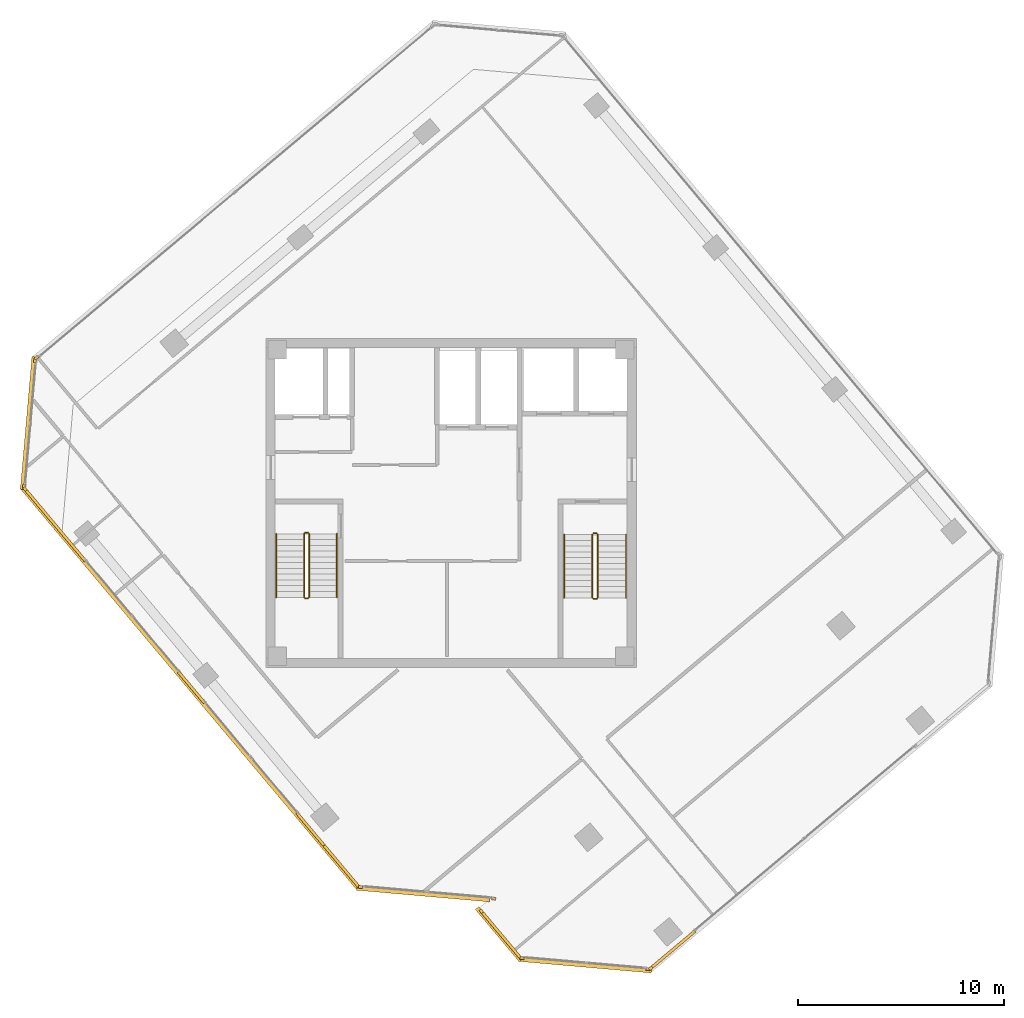
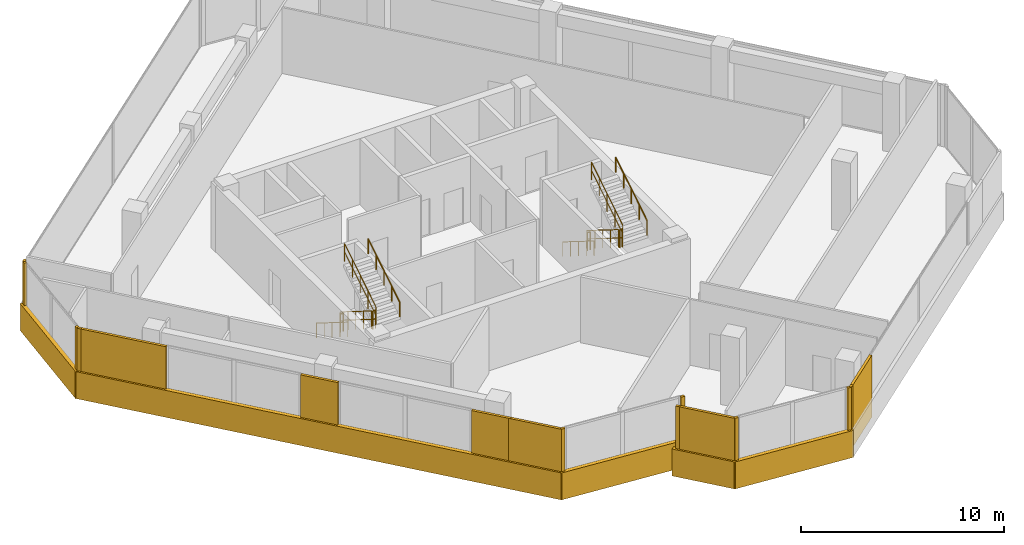
# One storey, part 15 of 17: 21 coverings, 12 railings.
"""IFC4 building model written with IfcOpenShell, lengths in metres."""

import ifcopenshell
import ifcopenshell.guid

model = None  # the IFC model being written
_history = None  # IfcOwnerHistory: only IFC2X3 demands one
_inside = {}  # id of a spatial element -> (the spatial element, [elements in it])
_under = {}  # id of a project, library or spatial element -> (it, [spatial elements below it])
_declared = {}  # id of a project -> (the project, [libraries it declares])
_typed = {}  # id of a type object -> (the type object, [elements of that type])
_made_of = {}  # id of a material, layer set ... -> (it, [elements and type objects made of it])


def new_model(schema):
    """Start an empty IFC model of exactly this schema.

    Asked for "IFC4X3", IfcOpenShell would pick the latest addendum, in which some entities
    have other attributes; the version numbers below select the first issue.
    IFC2X3 requires an IfcOwnerHistory on every rooted entity: one is made here for all.
    """
    global model, _history
    if schema == "IFC4X3":
        model = ifcopenshell.file(schema_version=(4, 3, 0, 0))
    else:
        model = ifcopenshell.file(schema=schema)
    _inside.clear()
    _under.clear()
    _declared.clear()
    _typed.clear()
    _made_of.clear()
    _history = None
    if model.schema == "IFC2X3":
        org = make("IfcOrganization", Name="unknown")
        user = make(
            "IfcPersonAndOrganization",
            ThePerson=make("IfcPerson", FamilyName="unknown"),
            TheOrganization=org,
        )
        app = make(
            "IfcApplication",
            ApplicationDeveloper=org,
            Version="unknown",
            ApplicationFullName="unknown",
            ApplicationIdentifier="unknown",
        )
        _history = make(
            "IfcOwnerHistory",
            OwningUser=user,
            OwningApplication=app,
            ChangeAction="ADDED",
            CreationDate=0,
        )
    return model


def make(cls, **values):
    """One entity of the class cls with the attributes given. An attribute that is None is left unset."""
    return model.create_entity(
        cls, **{name: value for name, value in values.items() if value is not None}
    )


def rooted(cls, **values):
    """An entity with a GlobalId (a new one), such as an element, a storey or a relation."""
    return make(cls, GlobalId=ifcopenshell.guid.new(), OwnerHistory=_history, **values)


def si_unit(unit_type, name, prefix=None):
    """IfcSIUnit, for example si_unit("LENGTHUNIT", "METRE", prefix="MILLI")."""
    return make("IfcSIUnit", UnitType=unit_type, Prefix=prefix, Name=name)


def assignment(units):
    """IfcUnitAssignment: the units of a project."""
    return None if units is None else make("IfcUnitAssignment", Units=units)


def point(xyz):
    """IfcCartesianPoint."""
    return None if xyz is None else make("IfcCartesianPoint", Coordinates=xyz)


def direction(xyz):
    """IfcDirection."""
    return None if xyz is None else make("IfcDirection", DirectionRatios=xyz)


def frame(location, z_axis=None, x_axis=None):
    """IfcAxis2Placement3D, a coordinate frame: its origin and axes. An axis left out is left unset."""
    return make(
        "IfcAxis2Placement3D",
        Location=point(location),
        Axis=direction(z_axis),
        RefDirection=direction(x_axis),
    )


def frame_2d(location, x_axis=None):
    """IfcAxis2Placement2D, a coordinate frame in the plane: its origin and x axis."""
    return make(
        "IfcAxis2Placement2D", Location=point(location), RefDirection=direction(x_axis)
    )


def origin():
    """The frame at (0, 0, 0) with its axes left unset."""
    return frame((0.0, 0.0, 0.0))


def origin_2d():
    """The frame at (0, 0) in the plane with its x axis left unset."""
    return frame_2d((0.0, 0.0))


def place(relative_to, where):
    """IfcLocalPlacement: puts the frame where relative to a parent placement (None: the world)."""
    return make(
        "IfcLocalPlacement", PlacementRelTo=relative_to, RelativePlacement=where
    )


def context(
    kind, dimensions, precision=None, world=None, true_north=None, identifier=None
):
    """IfcGeometricRepresentationContext, for example the 3D "Model" context."""
    return make(
        "IfcGeometricRepresentationContext",
        ContextIdentifier=identifier,
        ContextType=kind,
        CoordinateSpaceDimension=dimensions,
        Precision=precision,
        WorldCoordinateSystem=world,
        TrueNorth=true_north,
    )


def subcontext(parent, identifier, kind, view, scale=None):
    """IfcGeometricRepresentationSubContext, for example "Body" below "Model"."""
    return make(
        "IfcGeometricRepresentationSubContext",
        ContextIdentifier=identifier,
        ContextType=kind,
        ParentContext=parent,
        TargetScale=scale,
        TargetView=view,
    )


def project(units=None, contexts=None):
    """IfcProject with its units and contexts."""
    return rooted(
        "IfcProject",
        Name="project",
        RepresentationContexts=contexts,
        UnitsInContext=assignment(units),
    )


def spatial(cls, under=None, at=None, **own):
    """A site, building, storey or space (cls), placed at a placement, below another one or the project."""
    s = rooted(cls, ObjectPlacement=at, **own)
    if under is not None:
        _under.setdefault(under.id(), (under, []))[1].append(s)
    return s


def profile(cls, at=None, kind="AREA", **sizes):
    """A parametric profile (cls). Its sizes go by their IFC names, for example OverallWidth=200.0."""
    return make(cls, ProfileType=kind, Position=at, **sizes)


def rectangle(**sizes):
    """IfcRectangleProfileDef."""
    return profile("IfcRectangleProfileDef", **sizes)


def circle(**sizes):
    """IfcCircleProfileDef."""
    return profile("IfcCircleProfileDef", **sizes)


def extrude(swept, where, along, depth):
    """IfcExtrudedAreaSolid: the profile swept, set in the frame where, extruded along a direction by depth."""
    return make(
        "IfcExtrudedAreaSolid",
        SweptArea=swept,
        Position=where,
        ExtrudedDirection=direction(along),
        Depth=depth,
    )


def shape(context_of_items, identifier, shape_type, items):
    """IfcShapeRepresentation: the items that make up one representation, for example the "Body"."""
    return make(
        "IfcShapeRepresentation",
        ContextOfItems=context_of_items,
        RepresentationIdentifier=identifier,
        RepresentationType=shape_type,
        Items=items,
    )


def source(mapping_origin, context_of_items, identifier, shape_type, items):
    """IfcRepresentationMap: a shape defined once, which mapped items show again and again."""
    return make(
        "IfcRepresentationMap",
        MappingOrigin=mapping_origin,
        MappedRepresentation=shape(context_of_items, identifier, shape_type, items),
    )


def transform(
    local_origin,
    x_axis=None,
    y_axis=None,
    z_axis=None,
    scale=None,
    scale2=None,
    scale3=None,
    uniform=True,
):
    """IfcCartesianTransformationOperator3D, or its non-uniform kind. x_axis, y_axis, z_axis: its Axis1, 2, 3."""
    if uniform:
        return make(
            "IfcCartesianTransformationOperator3D",
            Axis1=direction(x_axis),
            Axis2=direction(y_axis),
            LocalOrigin=point(local_origin),
            Scale=scale,
            Axis3=direction(z_axis),
        )
    return make(
        "IfcCartesianTransformationOperator3DnonUniform",
        Axis1=direction(x_axis),
        Axis2=direction(y_axis),
        LocalOrigin=point(local_origin),
        Scale=scale,
        Axis3=direction(z_axis),
        Scale2=scale2,
        Scale3=scale3,
    )


def mapped(mapping_source, mapping_target):
    """IfcMappedItem: shows the shape of a source again, moved by a transform."""
    return make(
        "IfcMappedItem", MappingSource=mapping_source, MappingTarget=mapping_target
    )


def material(Name=None, Category=None):
    """IfcMaterial."""
    return make("IfcMaterial", Name=Name, Category=Category)


def layer(
    of_material, thickness, ventilated=None, Name=None, Category=None, Priority=None
):
    """IfcMaterialLayer: one layer of a wall or slab, of a material (None: an air gap)."""
    return make(
        "IfcMaterialLayer",
        Material=of_material,
        LayerThickness=thickness,
        IsVentilated=ventilated,
        Name=Name,
        Category=Category,
        Priority=Priority,
    )


def layer_set(layers, Name=None):
    """IfcMaterialLayerSet."""
    return make("IfcMaterialLayerSet", MaterialLayers=layers, LayerSetName=Name)


def made_of(thing, what):
    """Note that an element or type object is made of a material, layer set ...; save() writes the relation."""
    if what is not None:
        _made_of.setdefault(what.id(), (what, []))[1].append(thing)
    return thing


def type_object(cls, material=None, **own):
    """A type object (cls), such as IfcWallType, which elements share."""
    return made_of(rooted(cls, **own), material)


def element(
    cls,
    number,
    at=None,
    inside=None,
    cuts=None,
    type_object=None,
    material=None,
    context=None,
    identifier="Body",
    shape_type=None,
    held_by="IfcProductDefinitionShape",
    body=None,
    shapes=None,
    **own,
):
    """One element of the class cls, such as IfcWall. Its Tag is "e" and its number.

    at: its placement. inside: the storey or other place that contains it. cuts: it is an
    opening in that element (IfcRelVoidsElement). A single representation is given by context,
    identifier, shape_type and body (its items); several are given by shapes. held_by: the class
    of the entity that holds the representations. save() writes the other relations.
    """
    e = rooted(cls, Tag="e%d" % number, ObjectPlacement=at, **own)
    if body is not None:
        shapes = [shape(context, identifier, shape_type, body)]
    if shapes is not None:
        e.Representation = make(held_by, Representations=shapes)
    if inside is not None:
        _inside.setdefault(inside.id(), (inside, []))[1].append(e)
    if cuts is not None:
        rooted(
            "IfcRelVoidsElement", RelatingBuildingElement=cuts, RelatedOpeningElement=e
        )
    if type_object is not None:
        _typed.setdefault(type_object.id(), (type_object, []))[1].append(e)
    return made_of(e, material)


def aggregate(whole, parts):
    """IfcRelAggregates: a whole, such as a stair, and the parts it consists of."""
    return rooted("IfcRelAggregates", RelatingObject=whole, RelatedObjects=parts)


def save(model, path):
    """Write the relations noted so far, then the file.

    IfcRelAggregates (storeys below a building ...), IfcRelContainedInSpatialStructure (elements
    in a storey), IfcRelDefinesByType, IfcRelAssociatesMaterial and IfcRelDeclares: one each for
    every whole, place, type object, material and project.
    """
    for whole, parts in _under.values():
        aggregate(whole, parts)
    for where, things in _inside.values():
        rooted(
            "IfcRelContainedInSpatialStructure",
            RelatedElements=things,
            RelatingStructure=where,
        )
    for kind, things in _typed.values():
        rooted("IfcRelDefinesByType", RelatedObjects=things, RelatingType=kind)
    for what, things in _made_of.values():
        rooted("IfcRelAssociatesMaterial", RelatedObjects=things, RelatingMaterial=what)
    for by, libraries in _declared.values():
        rooted("IfcRelDeclares", RelatingContext=by, RelatedDefinitions=libraries)
    model.write(path)


model = new_model("IFC4")

# Units and contexts
model_context = context("Model", 3, precision=1e-05, world=origin(), true_north=direction((0.0, 1.0)))
body_context = subcontext(model_context, "Body", "Model", "MODEL_VIEW")
ifc_project = project(units=[si_unit("LENGTHUNIT", "METRE"), si_unit("AREAUNIT", "SQUARE_METRE"), si_unit("VOLUMEUNIT", "CUBIC_METRE"), si_unit("PLANEANGLEUNIT", "RADIAN"), si_unit("MASSUNIT", "GRAM", prefix="KILO")], contexts=[model_context])

# Site, building, storey
site_placement = place(None, origin())
site = spatial("IfcSite", under=ifc_project, at=site_placement, CompositionType="ELEMENT")
building_placement = place(site_placement, origin())
building = spatial("IfcBuilding", under=site, at=building_placement, Name="Torre Montelarca", CompositionType="ELEMENT")
storey_placement = place(building_placement, frame((0.0, 0.0, 271.0)))
storey = spatial("IfcBuildingStorey", under=building, at=storey_placement, Name="L61", CompositionType="ELEMENT", Elevation=271.0)

# Railings
ifc_material_1 = material(Name="Powder-coated steel ASTM A500 Grade C", Category="steel")
railing_type_1 = type_object("IfcRailingType", Name="RL-GUARD-1100", PredefinedType="BALUSTRADE", material=ifc_material_1)
railing_1_placement = place(storey_placement, frame((10.85009765625, 30.5, 0.175048828125)))
element("IfcRailing", 1, at=railing_1_placement, inside=storey, type_object=railing_type_1, Name="L61 ST1 stair guard 1", PredefinedType="BALUSTRADE", context=body_context, shape_type="SweptSolid", body=[
    extrude(circle(Radius=0.02392578125, at=origin_2d()), frame((0.0, 0.0, 1.076171875), z_axis=(0.0, -0.847998304005, 0.529998940003), x_axis=(1.0, 0.0, 0.0)), (0.0, 0.0, 1.0), 3.632080078125),
    extrude(circle(Radius=0.02099609375, at=origin_2d()), frame((0.0, 0.0, 0.572021484375), z_axis=(0.0, -0.847998304005, 0.529998940003), x_axis=(1.0, 0.0, 0.0)), (0.0, 0.0, 1.0), 3.632080078125),
    extrude(circle(Radius=0.02099609375, at=origin_2d()), origin(), (0.0, 0.0, 1.0), 1.052001953125),
    extrude(circle(Radius=0.02099609375, at=origin_2d()), frame((0.0, -0.77001953125, 0.481201171875)), (0.0, 0.0, 1.0), 1.052001953125),
    extrude(circle(Radius=0.02099609375, at=origin_2d()), frame((0.0, -1.5400390625, 0.96240234375)), (0.0, 0.0, 1.0), 1.052001953125),
    extrude(circle(Radius=0.02099609375, at=origin_2d()), frame((0.0, -2.31005859375, 1.44384765625)), (0.0, 0.0, 1.0), 1.052001953125),
    extrude(circle(Radius=0.02099609375, at=origin_2d()), frame((0.0, -3.080078125, 1.925048828125)), (0.0, 0.0, 1.0), 1.052001953125),
])
railing_2_placement = place(storey_placement, frame((10.89990234375, 27.3701171875, 2.10009765625)))
element("IfcRailing", 2, at=railing_2_placement, inside=storey, type_object=railing_type_1, Name="L61 ST1 stair guard 2", PredefinedType="BALUSTRADE", context=body_context, shape_type="SweptSolid", body=[
    extrude(circle(Radius=0.02392578125, at=origin_2d()), frame((0.0, 0.0, 1.076171875), z_axis=(1.0, 0.0, 0.0), x_axis=(0.0, 1.0, 0.0)), (0.0, 0.0, 1.0), 0.150146484375),
    extrude(circle(Radius=0.02099609375, at=origin_2d()), frame((0.0, 0.0, 0.572021484375), z_axis=(1.0, 0.0, 0.0), x_axis=(0.0, 1.0, 0.0)), (0.0, 0.0, 1.0), 0.150146484375),
    extrude(circle(Radius=0.02099609375, at=origin_2d()), origin(), (0.0, 0.0, 1.0), 1.052001953125),
    extrude(circle(Radius=0.02099609375, at=origin_2d()), frame((0.150146484375, 0.0, 0.0)), (0.0, 0.0, 1.0), 1.052001953125),
])
railing_3_placement = place(storey_placement, frame((11.10009765625, 27.419921875, 2.27490234375)))
element("IfcRailing", 3, at=railing_3_placement, inside=storey, type_object=railing_type_1, Name="L61 ST1 stair guard 3", PredefinedType="BALUSTRADE", context=body_context, shape_type="SweptSolid", body=[
    extrude(circle(Radius=0.02392578125, at=origin_2d()), frame((0.0, 0.0, 1.076171875), z_axis=(0.0, 0.847998304005, 0.529998940003), x_axis=(-1.0, 0.0, 0.0)), (0.0, 0.0, 1.0), 3.632080078125),
    extrude(circle(Radius=0.02099609375, at=origin_2d()), frame((0.0, 0.0, 0.572021484375), z_axis=(0.0, 0.847998304005, 0.529998940003), x_axis=(-1.0, 0.0, 0.0)), (0.0, 0.0, 1.0), 3.632080078125),
    extrude(circle(Radius=0.02099609375, at=origin_2d()), origin(), (0.0, 0.0, 1.0), 1.052001953125),
    extrude(circle(Radius=0.02099609375, at=origin_2d()), frame((0.0, 0.77001953125, 0.481201171875)), (0.0, 0.0, 1.0), 1.052001953125),
    extrude(circle(Radius=0.02099609375, at=origin_2d()), frame((0.0, 1.5400390625, 0.96240234375)), (0.0, 0.0, 1.0), 1.052001953125),
    extrude(circle(Radius=0.02099609375, at=origin_2d()), frame((0.0, 2.31005859375, 1.44384765625)), (0.0, 0.0, 1.0), 1.052001953125),
    extrude(circle(Radius=0.02099609375, at=origin_2d()), frame((0.0, 3.080078125, 1.925048828125)), (0.0, 0.0, 1.0), 1.052001953125),
])
railing_4_placement = place(storey_placement, frame((10.89990234375, 30.550048828125, 0.0)))
element("IfcRailing", 4, at=railing_4_placement, inside=storey, type_object=railing_type_1, Name="L61 ST1 stair guard 4", PredefinedType="BALUSTRADE", context=body_context, shape_type="SweptSolid", body=[
    extrude(circle(Radius=0.02392578125, at=origin_2d()), frame((0.0, 0.0, 1.076171875), z_axis=(1.0, 0.0, 0.0), x_axis=(0.0, 1.0, 0.0)), (0.0, 0.0, 1.0), 0.150146484375),
    extrude(circle(Radius=0.02099609375, at=origin_2d()), frame((0.0, 0.0, 0.572021484375), z_axis=(1.0, 0.0, 0.0), x_axis=(0.0, 1.0, 0.0)), (0.0, 0.0, 1.0), 0.150146484375),
    extrude(circle(Radius=0.02099609375, at=origin_2d()), origin(), (0.0, 0.0, 1.0), 1.052001953125),
    extrude(circle(Radius=0.02099609375, at=origin_2d()), frame((0.150146484375, 0.0, 0.0)), (0.0, 0.0, 1.0), 1.052001953125),
])
railing_5_placement = place(storey_placement, frame((24.8701171875, 30.469970703125, 0.175048828125)))
element("IfcRailing", 5, at=railing_5_placement, inside=storey, type_object=railing_type_1, Name="L61 ST2 stair guard 1", PredefinedType="BALUSTRADE", context=body_context, shape_type="SweptSolid", body=[
    extrude(circle(Radius=0.02392578125, at=origin_2d()), frame((0.0, 0.0, 1.076171875), z_axis=(0.0, -0.847998304005, 0.529998940003), x_axis=(1.0, 0.0, 0.0)), (0.0, 0.0, 1.0), 3.632080078125),
    extrude(circle(Radius=0.02099609375, at=origin_2d()), frame((0.0, 0.0, 0.572021484375), z_axis=(0.0, -0.847998304005, 0.529998940003), x_axis=(1.0, 0.0, 0.0)), (0.0, 0.0, 1.0), 3.632080078125),
    extrude(circle(Radius=0.02099609375, at=origin_2d()), origin(), (0.0, 0.0, 1.0), 1.052001953125),
    extrude(circle(Radius=0.02099609375, at=origin_2d()), frame((0.0, -0.77001953125, 0.481201171875)), (0.0, 0.0, 1.0), 1.052001953125),
    extrude(circle(Radius=0.02099609375, at=origin_2d()), frame((0.0, -1.5400390625, 0.96240234375)), (0.0, 0.0, 1.0), 1.052001953125),
    extrude(circle(Radius=0.02099609375, at=origin_2d()), frame((0.0, -2.31005859375, 1.44384765625)), (0.0, 0.0, 1.0), 1.052001953125),
    extrude(circle(Radius=0.02099609375, at=origin_2d()), frame((0.0, -3.080078125, 1.925048828125)), (0.0, 0.0, 1.0), 1.052001953125),
])
railing_6_placement = place(storey_placement, frame((24.919921875, 27.340087890625, 2.10009765625)))
element("IfcRailing", 6, at=railing_6_placement, inside=storey, type_object=railing_type_1, Name="L61 ST2 stair guard 2", PredefinedType="BALUSTRADE", context=body_context, shape_type="SweptSolid", body=[
    extrude(circle(Radius=0.02392578125, at=origin_2d()), frame((0.0, 0.0, 1.076171875), z_axis=(1.0, 0.0, 0.0), x_axis=(0.0, 1.0, 0.0)), (0.0, 0.0, 1.0), 0.150146484375),
    extrude(circle(Radius=0.02099609375, at=origin_2d()), frame((0.0, 0.0, 0.572021484375), z_axis=(1.0, 0.0, 0.0), x_axis=(0.0, 1.0, 0.0)), (0.0, 0.0, 1.0), 0.150146484375),
    extrude(circle(Radius=0.02099609375, at=origin_2d()), origin(), (0.0, 0.0, 1.0), 1.052001953125),
    extrude(circle(Radius=0.02099609375, at=origin_2d()), frame((0.150146484375, 0.0, 0.0)), (0.0, 0.0, 1.0), 1.052001953125),
])
railing_7_placement = place(storey_placement, frame((25.1201171875, 27.389892578125, 2.27490234375)))
element("IfcRailing", 7, at=railing_7_placement, inside=storey, type_object=railing_type_1, Name="L61 ST2 stair guard 3", PredefinedType="BALUSTRADE", context=body_context, shape_type="SweptSolid", body=[
    extrude(circle(Radius=0.02392578125, at=origin_2d()), frame((0.0, 0.0, 1.076171875), z_axis=(0.0, 0.847998304005, 0.529998940003), x_axis=(-1.0, 0.0, 0.0)), (0.0, 0.0, 1.0), 3.632080078125),
    extrude(circle(Radius=0.02099609375, at=origin_2d()), frame((0.0, 0.0, 0.572021484375), z_axis=(0.0, 0.847998304005, 0.529998940003), x_axis=(-1.0, 0.0, 0.0)), (0.0, 0.0, 1.0), 3.632080078125),
    extrude(circle(Radius=0.02099609375, at=origin_2d()), origin(), (0.0, 0.0, 1.0), 1.052001953125),
    extrude(circle(Radius=0.02099609375, at=origin_2d()), frame((0.0, 0.77001953125, 0.481201171875)), (0.0, 0.0, 1.0), 1.052001953125),
    extrude(circle(Radius=0.02099609375, at=origin_2d()), frame((0.0, 1.5400390625, 0.96240234375)), (0.0, 0.0, 1.0), 1.052001953125),
    extrude(circle(Radius=0.02099609375, at=origin_2d()), frame((0.0, 2.31005859375, 1.44384765625)), (0.0, 0.0, 1.0), 1.052001953125),
    extrude(circle(Radius=0.02099609375, at=origin_2d()), frame((0.0, 3.080078125, 1.925048828125)), (0.0, 0.0, 1.0), 1.052001953125),
])
railing_8_placement = place(storey_placement, frame((24.919921875, 30.52001953125, 0.0)))
element("IfcRailing", 8, at=railing_8_placement, inside=storey, type_object=railing_type_1, Name="L61 ST2 stair guard 4", PredefinedType="BALUSTRADE", context=body_context, shape_type="SweptSolid", body=[
    extrude(circle(Radius=0.02392578125, at=origin_2d()), frame((0.0, 0.0, 1.076171875), z_axis=(1.0, 0.0, 0.0), x_axis=(0.0, 1.0, 0.0)), (0.0, 0.0, 1.0), 0.150146484375),
    extrude(circle(Radius=0.02099609375, at=origin_2d()), frame((0.0, 0.0, 0.572021484375), z_axis=(1.0, 0.0, 0.0), x_axis=(0.0, 1.0, 0.0)), (0.0, 0.0, 1.0), 0.150146484375),
    extrude(circle(Radius=0.02099609375, at=origin_2d()), origin(), (0.0, 0.0, 1.0), 1.052001953125),
    extrude(circle(Radius=0.02099609375, at=origin_2d()), frame((0.150146484375, 0.0, 0.0)), (0.0, 0.0, 1.0), 1.052001953125),
])
ifc_material_2 = material(Name="Brushed stainless steel AISI 316", Category="steel")
railing_type_2 = type_object("IfcRailingType", Name="RL-HANDRAIL-900", PredefinedType="HANDRAIL", material=ifc_material_2)
railing_9_placement = place(storey_placement, frame((9.5, 30.5, 0.175048828125)))
element("IfcRailing", 9, at=railing_9_placement, inside=storey, type_object=railing_type_2, Name="L61 ST1 stair handrail 1", PredefinedType="HANDRAIL", context=body_context, shape_type="SweptSolid", body=[
    extrude(circle(Radius=0.02392578125, at=origin_2d()), frame((0.0, 0.0, 0.8759765625), z_axis=(0.0, -0.847998304005, 0.529998940003), x_axis=(1.0, 0.0, 0.0)), (0.0, 0.0, 1.0), 3.632080078125),
    extrude(circle(Radius=0.02099609375, at=origin_2d()), origin(), (0.0, 0.0, 1.0), 0.851806640625),
    extrude(circle(Radius=0.02099609375, at=origin_2d()), frame((0.0, -0.77001953125, 0.481201171875)), (0.0, 0.0, 1.0), 0.851806640625),
    extrude(circle(Radius=0.02099609375, at=origin_2d()), frame((0.0, -1.5400390625, 0.96240234375)), (0.0, 0.0, 1.0), 0.851806640625),
    extrude(circle(Radius=0.02099609375, at=origin_2d()), frame((0.0, -2.31005859375, 1.44384765625)), (0.0, 0.0, 1.0), 0.851806640625),
    extrude(circle(Radius=0.02099609375, at=origin_2d()), frame((0.0, -3.080078125, 1.925048828125)), (0.0, 0.0, 1.0), 0.851806640625),
])
railing_10_placement = place(storey_placement, frame((12.449951171875, 27.419921875, 2.27490234375)))
element("IfcRailing", 10, at=railing_10_placement, inside=storey, type_object=railing_type_2, Name="L61 ST1 stair handrail 2", PredefinedType="HANDRAIL", context=body_context, shape_type="SweptSolid", body=[
    extrude(circle(Radius=0.02392578125, at=origin_2d()), frame((0.0, 0.0, 0.8759765625), z_axis=(0.0, 0.847998304005, 0.529998940003), x_axis=(-1.0, 0.0, 0.0)), (0.0, 0.0, 1.0), 3.632080078125),
    extrude(circle(Radius=0.02099609375, at=origin_2d()), origin(), (0.0, 0.0, 1.0), 0.851806640625),
    extrude(circle(Radius=0.02099609375, at=origin_2d()), frame((0.0, 0.77001953125, 0.481201171875)), (0.0, 0.0, 1.0), 0.851806640625),
    extrude(circle(Radius=0.02099609375, at=origin_2d()), frame((0.0, 1.5400390625, 0.96240234375)), (0.0, 0.0, 1.0), 0.851806640625),
    extrude(circle(Radius=0.02099609375, at=origin_2d()), frame((0.0, 2.31005859375, 1.44384765625)), (0.0, 0.0, 1.0), 0.851806640625),
    extrude(circle(Radius=0.02099609375, at=origin_2d()), frame((0.0, 3.080078125, 1.925048828125)), (0.0, 0.0, 1.0), 0.851806640625),
])
railing_11_placement = place(storey_placement, frame((23.489990234375, 30.469970703125, 0.175048828125)))
element("IfcRailing", 11, at=railing_11_placement, inside=storey, type_object=railing_type_2, Name="L61 ST2 stair handrail 1", PredefinedType="HANDRAIL", context=body_context, shape_type="SweptSolid", body=[
    extrude(circle(Radius=0.02392578125, at=origin_2d()), frame((0.0, 0.0, 0.8759765625), z_axis=(0.0, -0.847998304005, 0.529998940003), x_axis=(1.0, 0.0, 0.0)), (0.0, 0.0, 1.0), 3.632080078125),
    extrude(circle(Radius=0.02099609375, at=origin_2d()), origin(), (0.0, 0.0, 1.0), 0.851806640625),
    extrude(circle(Radius=0.02099609375, at=origin_2d()), frame((0.0, -0.77001953125, 0.481201171875)), (0.0, 0.0, 1.0), 0.851806640625),
    extrude(circle(Radius=0.02099609375, at=origin_2d()), frame((0.0, -1.5400390625, 0.96240234375)), (0.0, 0.0, 1.0), 0.851806640625),
    extrude(circle(Radius=0.02099609375, at=origin_2d()), frame((0.0, -2.31005859375, 1.44384765625)), (0.0, 0.0, 1.0), 0.851806640625),
    extrude(circle(Radius=0.02099609375, at=origin_2d()), frame((0.0, -3.080078125, 1.925048828125)), (0.0, 0.0, 1.0), 0.851806640625),
])
railing_12_placement = place(storey_placement, frame((26.5, 27.389892578125, 2.27490234375)))
element("IfcRailing", 12, at=railing_12_placement, inside=storey, type_object=railing_type_2, Name="L61 ST2 stair handrail 2", PredefinedType="HANDRAIL", context=body_context, shape_type="SweptSolid", body=[
    extrude(circle(Radius=0.02392578125, at=origin_2d()), frame((0.0, 0.0, 0.8759765625), z_axis=(0.0, 0.847998304005, 0.529998940003), x_axis=(-1.0, 0.0, 0.0)), (0.0, 0.0, 1.0), 3.632080078125),
    extrude(circle(Radius=0.02099609375, at=origin_2d()), origin(), (0.0, 0.0, 1.0), 0.851806640625),
    extrude(circle(Radius=0.02099609375, at=origin_2d()), frame((0.0, 0.77001953125, 0.481201171875)), (0.0, 0.0, 1.0), 0.851806640625),
    extrude(circle(Radius=0.02099609375, at=origin_2d()), frame((0.0, 1.5400390625, 0.96240234375)), (0.0, 0.0, 1.0), 0.851806640625),
    extrude(circle(Radius=0.02099609375, at=origin_2d()), frame((0.0, 2.31005859375, 1.44384765625)), (0.0, 0.0, 1.0), 0.851806640625),
    extrude(circle(Radius=0.02099609375, at=origin_2d()), frame((0.0, 3.080078125, 1.925048828125)), (0.0, 0.0, 1.0), 0.851806640625),
])

# Coverings
ifc_material_3 = material(Name="Bush-hammered warm white precast concrete C45/55", Category="concrete")
ifc_layer = layer(ifc_material_3, 0.139892578125, Name="Bush-hammered warm white precast concrete C45/55", Category="concrete")
ifc_layer_set = layer_set([ifc_layer], Name="Bush-hammered warm white precast concrete C45/55")
covering_type = type_object("IfcCoveringType", Name="COV-TRAY-CLAD", PredefinedType="CLADDING", material=ifc_layer_set)
shared_shape_1 = source(origin(), body_context, "Body", "SweptSolid", [
    extrude(rectangle(XDim=6.48388671875, YDim=0.219970703125, at=origin_2d()), origin(), (0.0, 0.0, 1.0), 1.6201171875),
])
for number, where, z_axis, x_axis, name in (
    (13, (16.64404296875, 13.006103515625, -0.449951171875), (0.0, 0.0, 1.0), (0.996194089606, -0.087162697497, 0.0), "L61 Architectural White Spandrel Tray Band TRYBOT-02"),
    (14, (24.504638671875, 9.55029296875, -0.449951171875), (0.0, 0.0, 1.0), (0.996195458631, -0.087147049306, 0.0), "L61 Architectural White Spandrel Tray Band TRYBOT-05"),
    (15, (-2.548095703125, 35.87841796875, -0.449951171875), (0.0, 0.0, 1.0), (-0.087162697497, -0.996194089606, 0.0), "L61 Architectural White Spandrel Tray Band TRYBOT-11"),
):
    element("IfcCovering", number, at=place(storey_placement, frame(where, z_axis=z_axis, x_axis=x_axis)), inside=storey, type_object=covering_type, Name=name, PredefinedType="CLADDING", context=body_context, shape_type="MappedRepresentation", body=[
        mapped(shared_shape_1, transform((0.0, 0.0, 0.0), scale=1.0)),
    ])
shared_shape_2 = source(origin(), body_context, "Body", "SweptSolid", [
    extrude(rectangle(XDim=25.52001953125, YDim=0.219970703125, at=origin_2d()), origin(), (0.0, 0.0, 1.0), 1.6201171875),
])
covering_1_placement = place(storey_placement, frame((5.331298828125, 23.001708984375, -0.449951171875), z_axis=(0.0, 0.0, 1.0), x_axis=(0.642787609687, -0.766044443119, 0.0)))
element("IfcCovering", 16, at=covering_1_placement, inside=storey, type_object=covering_type, Name="L61 Architectural White Spandrel Tray Band TRYBOT-01", PredefinedType="CLADDING", context=body_context, shape_type="MappedRepresentation", body=[
    mapped(shared_shape_2, transform((0.0, 0.0, 0.0), scale=1.0)),
])
shared_shape_3 = source(origin(), body_context, "Body", "SweptSolid", [
    extrude(rectangle(XDim=0.199951171875, YDim=0.139892578125, at=origin_2d()), origin(), (0.0, 0.0, 1.0), 3.719970703125),
])
for number, where, z_axis, x_axis, name in (
    (17, (-2.7119140625, 32.680419921875, 0.0), (0.0, 0.0, 1.0), (0.642788946685, -0.766043321242, 0.0), "L61 Architectural Column Pier Cladding E01-1"),
    (18, (13.594970703125, 13.333251953125, 0.0), (0.0, 0.0, 1.0), (0.996193481071, -0.087169652241, 0.0), "L61 Architectural Column Pier Cladding E02-1"),
    (19, (20.070068359375, 12.7666015625, 0.0), (0.0, 0.0, 1.0), (0.996193481071, -0.087169652241, 0.0), "L61 Architectural Column Pier Cladding E02-2"),
    (20, (19.467529296875, 12.159912109375, 0.0), (0.0, 0.0, 1.0), (0.642807664463, -0.766027614716, 0.0), "L61 Architectural Column Pier Cladding E04-1"),
    (21, (21.455322265625, 9.877197265625, 0.0), (0.0, 0.0, 1.0), (0.996194241732, -0.08716095881, 0.0), "L61 Architectural Column Pier Cladding E05-1"),
    (22, (27.564208984375, 9.3427734375, 0.0), (0.0, 0.0, 1.0), (0.996194241732, -0.08716095881, 0.0), "L61 Architectural Column Pier Cladding E05-2"),
    (23, (27.70263671875, 9.386474609375, 0.0), (0.0, 0.0, 1.0), (0.766044443119, 0.642787609687, 0.0), "L61 Architectural Column Pier Cladding E06-1"),
    (24, (-2.15380859375, 39.056396484375, 0.0), (0.0, 0.0, 1.0), (-0.766043321242, -0.642788946685, 0.0), "L61 Architectural Column Pier Cladding E10-2"),
    (25, (-2.220947265625, 38.927490234375, 0.0), (0.0, 0.0, 1.0), (-0.087176606982, -0.996192872488, 0.0), "L61 Architectural Column Pier Cladding E11-1"),
    (26, (-2.755615234375, 32.81884765625, 0.0), (0.0, 0.0, 1.0), (-0.087176606982, -0.996192872488, 0.0), "L61 Architectural Column Pier Cladding E11-2"),
):
    element("IfcCovering", number, at=place(storey_placement, frame(where, z_axis=z_axis, x_axis=x_axis)), inside=storey, type_object=covering_type, Name=name, PredefinedType="CLADDING", context=body_context, shape_type="MappedRepresentation", body=[
        mapped(shared_shape_3, transform((0.0, 0.0, 0.0), scale=1.0)),
    ])
shared_shape_4 = source(origin(), body_context, "Body", "SweptSolid", [
    extrude(rectangle(XDim=2.06005859375, YDim=0.139892578125, at=origin_2d()), origin(), (0.0, 0.0, 1.0), 3.719970703125),
])
covering_2_placement = place(storey_placement, frame((11.162353515625, 16.14599609375, 0.0), z_axis=(0.0, 0.0, 1.0), x_axis=(0.642788946685, -0.766043321242, 0.0)))
element("IfcCovering", 27, at=covering_2_placement, inside=storey, type_object=covering_type, Name="L61 Architectural Column Pier Cladding E01-4", PredefinedType="CLADDING", context=body_context, shape_type="MappedRepresentation", body=[
    mapped(shared_shape_4, transform((0.0, 0.0, 0.0), scale=1.0)),
])
shared_shape_5 = source(origin(), body_context, "Body", "SweptSolid", [
    extrude(rectangle(XDim=2.754150390625, YDim=0.139892578125, at=origin_2d()), origin(), (0.0, 0.0, 1.0), 3.719970703125),
])
covering_3_placement = place(storey_placement, frame((12.645263671875, 14.378662109375, 0.0), z_axis=(0.0, 0.0, 1.0), x_axis=(0.642788946685, -0.766043321242, 0.0)))
element("IfcCovering", 28, at=covering_3_placement, inside=storey, type_object=covering_type, Name="L61 Architectural Column Pier Cladding E01-5", PredefinedType="CLADDING", context=body_context, shape_type="MappedRepresentation", body=[
    mapped(shared_shape_5, transform((0.0, 0.0, 0.0), scale=1.0)),
])
shared_shape_6 = source(origin(), body_context, "Body", "SweptSolid", [
    extrude(rectangle(XDim=3.320068359375, YDim=0.219970703125, at=origin_2d()), origin(), (0.0, 0.0, 1.0), 1.6201171875),
])
covering_4_placement = place(storey_placement, frame((20.32666015625, 11.04248046875, -0.449951171875), z_axis=(0.0, 0.0, 1.0), x_axis=(0.642790283682, -0.766042199362, 0.0)))
element("IfcCovering", 29, at=covering_4_placement, inside=storey, type_object=covering_type, Name="L61 Architectural White Spandrel Tray Band TRYBOT-04", PredefinedType="CLADDING", context=body_context, shape_type="MappedRepresentation", body=[
    mapped(shared_shape_6, transform((0.0, 0.0, 0.0), scale=1.0)),
])
shared_shape_7 = source(origin(), body_context, "Body", "SweptSolid", [
    extrude(rectangle(XDim=2.9921875, YDim=0.139892578125, at=origin_2d()), origin(), (0.0, 0.0, 1.0), 3.719970703125),
])
covering_5_placement = place(storey_placement, frame((20.42919921875, 11.013671875, 0.0), z_axis=(0.0, 0.0, 1.0), x_axis=(0.642807664463, -0.766027614716, 0.0)))
element("IfcCovering", 30, at=covering_5_placement, inside=storey, type_object=covering_type, Name="L61 Architectural Column Pier Cladding E04-2", PredefinedType="CLADDING", context=body_context, shape_type="MappedRepresentation", body=[
    mapped(shared_shape_7, transform((0.0, 0.0, 0.0), scale=1.0)),
])
shared_shape_8 = source(origin(), body_context, "Body", "SweptSolid", [
    extrude(rectangle(XDim=4.564208984375, YDim=0.139892578125, at=origin_2d()), origin(), (0.0, 0.0, 1.0), 3.719970703125),
])
covering_6_placement = place(storey_placement, frame((-1.244873046875, 30.93212890625, 0.0), z_axis=(0.0, 0.0, 1.0), x_axis=(0.642788946685, -0.766043321242, 0.0)))
element("IfcCovering", 31, at=covering_6_placement, inside=storey, type_object=covering_type, Name="L61 Architectural Column Pier Cladding E01-2", PredefinedType="CLADDING", context=body_context, shape_type="MappedRepresentation", body=[
    mapped(shared_shape_8, transform((0.0, 0.0, 0.0), scale=1.0)),
])
shared_shape_9 = source(origin(), body_context, "Body", "SweptSolid", [
    extrude(rectangle(XDim=1.9599609375, YDim=0.139892578125, at=origin_2d()), origin(), (0.0, 0.0, 1.0), 3.719970703125),
])
covering_7_placement = place(storey_placement, frame((5.377197265625, 23.040283203125, 0.0), z_axis=(0.0, 0.0, 1.0), x_axis=(0.642788946685, -0.766043321242, 0.0)))
element("IfcCovering", 32, at=covering_7_placement, inside=storey, type_object=covering_type, Name="L61 Architectural Column Pier Cladding E01-3", PredefinedType="CLADDING", context=body_context, shape_type="MappedRepresentation", body=[
    mapped(shared_shape_9, transform((0.0, 0.0, 0.0), scale=1.0)),
])
shared_shape_10 = source(origin(), body_context, "Body", "SweptSolid", [
    extrude(rectangle(XDim=2.814208984375, YDim=0.139892578125, at=origin_2d()), origin(), (0.0, 0.0, 1.0), 3.719970703125),
])
covering_8_placement = place(storey_placement, frame((28.780517578125, 10.291015625, 0.0), z_axis=(0.0, 0.0, 1.0), x_axis=(0.766044443119, 0.642787609687, 0.0)))
element("IfcCovering", 33, at=covering_8_placement, inside=storey, type_object=covering_type, Name="L61 Architectural Column Pier Cladding E06-2", PredefinedType="CLADDING", context=body_context, shape_type="MappedRepresentation", body=[
    mapped(shared_shape_10, transform((0.0, 0.0, 0.0), scale=1.0)),
])

save(model, "model.ifc")
